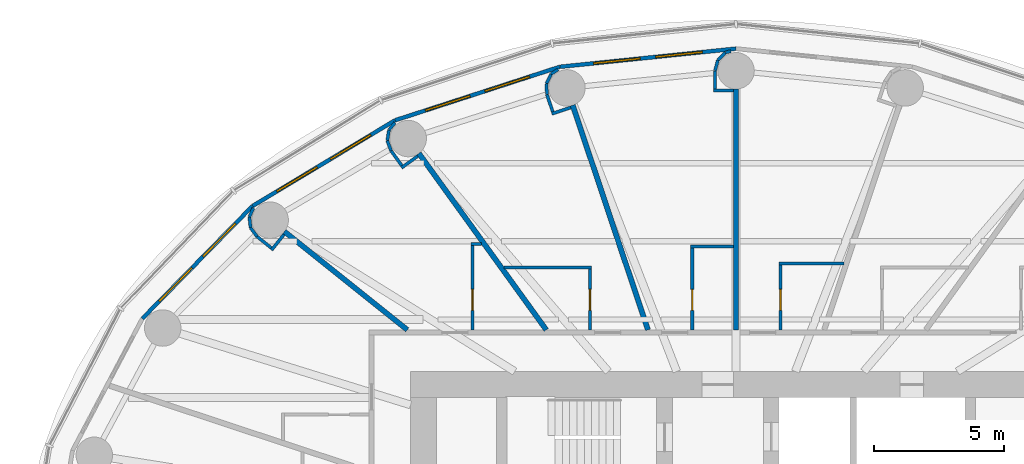
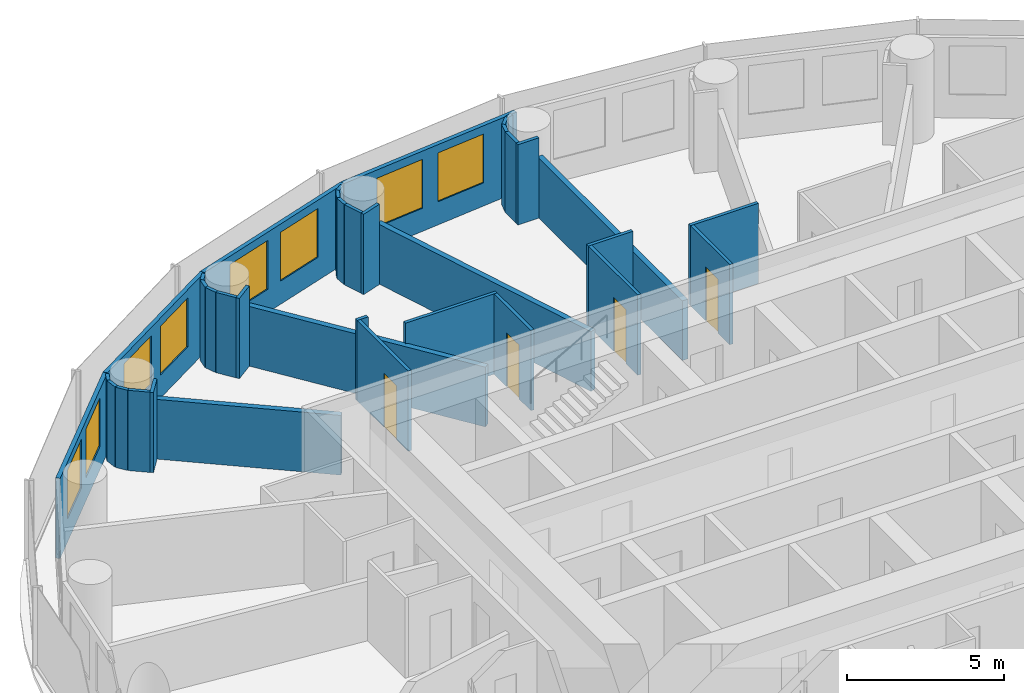
# One storey, part 11 of 13: 36 walls, 8 windows, 4 doors, 12 openings.
"""IFC4 building model written with IfcOpenShell, lengths in metres."""

from ifc_helpers import new_model, si_unit, direction, frame, frame_2d, origin, place, context, subcontext, project, spatial, rectangle, extrude, material, layer, layer_set, type_object, element, fill, save


model = new_model("IFC4")

# Units and contexts
model_context = context("Model", 3, precision=1e-05, world=origin(), true_north=direction((0.0, 1.0)))
body_context = subcontext(model_context, "Body", "Model", "MODEL_VIEW")
ifc_project = project(units=[si_unit("LENGTHUNIT", "METRE"), si_unit("AREAUNIT", "SQUARE_METRE"), si_unit("VOLUMEUNIT", "CUBIC_METRE"), si_unit("PLANEANGLEUNIT", "RADIAN"), si_unit("MASSUNIT", "GRAM", prefix="KILO")], contexts=[model_context])

# Site, building, storey
site_placement = place(None, origin())
site = spatial("IfcSite", under=ifc_project, at=site_placement, CompositionType="ELEMENT")
building_placement = place(site_placement, origin())
building = spatial("IfcBuilding", under=site, at=building_placement, Name="Hankou Lantern Tower", CompositionType="ELEMENT")
storey_placement = place(building_placement, frame((0.0, 0.0, 83.699951171875)))
storey = spatial("IfcBuildingStorey", under=building, at=storey_placement, Name="L21", CompositionType="ELEMENT", Elevation=83.699951171875)

# Wall, openings, windows
ifc_material_1 = material(Name="Aluminium spandrel panel on steel studs", Category="steel")
ifc_layer_1 = layer(ifc_material_1, 0.14990234375)
ifc_layer_set_1 = layer_set([ifc_layer_1], Name="Aluminium spandrel panel on steel studs")
wall_type_1 = type_object("IfcWallType", Name="EW1 INNER SKIN WALL 150", PredefinedType="ELEMENTEDWALL", material=ifc_layer_set_1)
wall_1_placement = place(storey_placement, frame((0.0, 20.89990234375, 0.0), z_axis=(0.0, 0.0, 1.0), x_axis=(-0.994721394369, -0.102612609291, 0.0)))
wall_1 = element("IfcWall", 1, at=wall_1_placement, inside=storey, type_object=wall_type_1, Name="Inner skin R07-R08 L21", PredefinedType="ELEMENTEDWALL", context=body_context, shape_type="SweptSolid", body=[
    extrude(rectangle(XDim=6.80224609375, YDim=0.14990234375, at=frame_2d((3.401123046875, 0.0))), origin(), (0.0, 0.0, 1.0), 3.1201171875),
])
opening_1_placement = place(wall_1_placement, frame((1.301025390625, 0.0, 0.89990234375)))
opening_1 = element("IfcOpeningElement", 2, at=opening_1_placement, cuts=wall_1, Name="Opening W1", PredefinedType="OPENING", context=body_context, shape_type="SweptSolid", body=[
    extrude(rectangle(XDim=1.800048828125, YDim=1.89990234375, at=frame_2d((0.89990234375, 0.949951171875))), frame((0.0, 0.0849609375, 0.0), z_axis=(0.0, -1.0, 0.0), x_axis=(1.0, 0.0, 0.0)), (0.0, 0.0, 1.0), 0.169921875),
])
opening_2_placement = place(wall_1_placement, frame((3.701171875, 0.0, 0.89990234375)))
opening_2 = element("IfcOpeningElement", 3, at=opening_2_placement, cuts=wall_1, Name="Opening W1", PredefinedType="OPENING", context=body_context, shape_type="SweptSolid", body=[
    extrude(rectangle(XDim=1.800048828125, YDim=1.89990234375, at=frame_2d((0.89990234375, 0.949951171875))), frame((0.0, 0.0849609375, 0.0), z_axis=(0.0, -1.0, 0.0), x_axis=(1.0, 0.0, 0.0)), (0.0, 0.0, 1.0), 0.169921875),
])
ifc_material_2 = material(Name="Aluminium framed double glazed window", Category="aluminium")
window_type = type_object("IfcWindowType", Name="W1 GUEST ROOM WINDOW 1800X1900", PartitioningType="DOUBLE_PANEL_VERTICAL", PredefinedType="WINDOW", material=ifc_material_2)
window_1_placement = place(opening_1_placement, origin())
window_1 = element("IfcWindow", 4, at=window_1_placement, inside=storey, type_object=window_type, Name="Window R07.1 L21", OverallHeight=1.89990234375, OverallWidth=1.800048828125, PartitioningType="SINGLE_PANEL", PredefinedType="WINDOW", context=body_context, shape_type="SweptSolid", body=[
    extrude(rectangle(XDim=1.800048828125, YDim=1.89990234375, at=frame_2d((0.89990234375, 0.949951171875))), frame((0.0, 0.030029296875, 0.0), z_axis=(0.0, -1.0, 0.0), x_axis=(1.0, 0.0, 0.0)), (0.0, 0.0, 1.0), 0.06005859375),
])
fill(opening_1, window_1)
window_2_placement = place(opening_2_placement, origin())
window_2 = element("IfcWindow", 5, at=window_2_placement, inside=storey, type_object=window_type, Name="Window R07.2 L21", OverallHeight=1.89990234375, OverallWidth=1.800048828125, PartitioningType="SINGLE_PANEL", PredefinedType="WINDOW", context=body_context, shape_type="SweptSolid", body=[
    extrude(rectangle(XDim=1.800048828125, YDim=1.89990234375, at=frame_2d((0.89990234375, 0.949951171875))), frame((0.0, 0.030029296875, 0.0), z_axis=(0.0, -1.0, 0.0), x_axis=(1.0, 0.0, 0.0)), (0.0, 0.0, 1.0), 0.06005859375),
])
fill(opening_2, window_2)

wall_2_placement = place(storey_placement, frame((-6.766357421875, 20.201904296875, 0.0), z_axis=(0.0, 0.0, 1.0), x_axis=(-0.951137534625, -0.308767534285, 0.0)))
wall_2 = element("IfcWall", 6, at=wall_2_placement, inside=storey, type_object=wall_type_1, Name="Inner skin R08-R09 L21", PredefinedType="ELEMENTEDWALL", context=body_context, shape_type="SweptSolid", body=[
    extrude(rectangle(XDim=6.6552734375, YDim=0.14990234375, at=frame_2d((3.32763671875, 0.0))), origin(), (0.0, 0.0, 1.0), 3.1201171875),
])
opening_3_placement = place(wall_2_placement, frame((1.2275390625, 0.0, 0.89990234375)))
opening_3 = element("IfcOpeningElement", 7, at=opening_3_placement, cuts=wall_2, Name="Opening W1", PredefinedType="OPENING", context=body_context, shape_type="SweptSolid", body=[
    extrude(rectangle(XDim=1.800048828125, YDim=1.89990234375, at=frame_2d((0.89990234375, 0.949951171875))), frame((0.0, 0.0849609375, 0.0), z_axis=(0.0, -1.0, 0.0), x_axis=(1.0, 0.0, 0.0)), (0.0, 0.0, 1.0), 0.169921875),
])
opening_4_placement = place(wall_2_placement, frame((3.627685546875, 0.0, 0.89990234375)))
opening_4 = element("IfcOpeningElement", 8, at=opening_4_placement, cuts=wall_2, Name="Opening W1", PredefinedType="OPENING", context=body_context, shape_type="SweptSolid", body=[
    extrude(rectangle(XDim=1.800048828125, YDim=1.89990234375, at=frame_2d((0.89990234375, 0.949951171875))), frame((0.0, 0.0849609375, 0.0), z_axis=(0.0, -1.0, 0.0), x_axis=(1.0, 0.0, 0.0)), (0.0, 0.0, 1.0), 0.169921875),
])
window_3_placement = place(opening_3_placement, origin())
window_3 = element("IfcWindow", 9, at=window_3_placement, inside=storey, type_object=window_type, Name="Window R08.1 L21", OverallHeight=1.89990234375, OverallWidth=1.800048828125, PartitioningType="SINGLE_PANEL", PredefinedType="WINDOW", context=body_context, shape_type="SweptSolid", body=[
    extrude(rectangle(XDim=1.800048828125, YDim=1.89990234375, at=frame_2d((0.89990234375, 0.949951171875))), frame((0.0, 0.030029296875, 0.0), z_axis=(0.0, -1.0, 0.0), x_axis=(1.0, 0.0, 0.0)), (0.0, 0.0, 1.0), 0.06005859375),
])
fill(opening_3, window_3)
window_4_placement = place(opening_4_placement, origin())
window_4 = element("IfcWindow", 10, at=window_4_placement, inside=storey, type_object=window_type, Name="Window R08.2 L21", OverallHeight=1.89990234375, OverallWidth=1.800048828125, PartitioningType="SINGLE_PANEL", PredefinedType="WINDOW", context=body_context, shape_type="SweptSolid", body=[
    extrude(rectangle(XDim=1.800048828125, YDim=1.89990234375, at=frame_2d((0.89990234375, 0.949951171875))), frame((0.0, 0.030029296875, 0.0), z_axis=(0.0, -1.0, 0.0), x_axis=(1.0, 0.0, 0.0)), (0.0, 0.0, 1.0), 0.06005859375),
])
fill(opening_4, window_4)

wall_3_placement = place(storey_placement, frame((-13.096435546875, 18.14697265625, 0.0), z_axis=(0.0, 0.0, 1.0), x_axis=(-0.856983180864, -0.515344377787, 0.0)))
wall_3 = element("IfcWall", 11, at=wall_3_placement, inside=storey, type_object=wall_type_1, Name="Inner skin R09-R10 L21", PredefinedType="ELEMENTEDWALL", context=body_context, shape_type="SweptSolid", body=[
    extrude(rectangle(XDim=6.386474609375, YDim=0.14990234375, at=frame_2d((3.193359375, 0.0))), origin(), (0.0, 0.0, 1.0), 3.1201171875),
])
opening_5_placement = place(wall_3_placement, frame((1.09326171875, 0.0, 0.89990234375)))
opening_5 = element("IfcOpeningElement", 12, at=opening_5_placement, cuts=wall_3, Name="Opening W1", PredefinedType="OPENING", context=body_context, shape_type="SweptSolid", body=[
    extrude(rectangle(XDim=1.800048828125, YDim=1.89990234375, at=frame_2d((0.89990234375, 0.949951171875))), frame((0.0, 0.0849609375, 0.0), z_axis=(0.0, -1.0, 0.0), x_axis=(1.0, 0.0, 0.0)), (0.0, 0.0, 1.0), 0.169921875),
])
opening_6_placement = place(wall_3_placement, frame((3.4931640625, 0.0, 0.89990234375)))
opening_6 = element("IfcOpeningElement", 13, at=opening_6_placement, cuts=wall_3, Name="Opening W1", PredefinedType="OPENING", context=body_context, shape_type="SweptSolid", body=[
    extrude(rectangle(XDim=1.800048828125, YDim=1.89990234375, at=frame_2d((0.89990234375, 0.949951171875))), frame((0.0, 0.0849609375, 0.0), z_axis=(0.0, -1.0, 0.0), x_axis=(1.0, 0.0, 0.0)), (0.0, 0.0, 1.0), 0.169921875),
])
window_5_placement = place(opening_5_placement, origin())
window_5 = element("IfcWindow", 14, at=window_5_placement, inside=storey, type_object=window_type, Name="Window R09.1 L21", OverallHeight=1.89990234375, OverallWidth=1.800048828125, PartitioningType="SINGLE_PANEL", PredefinedType="WINDOW", context=body_context, shape_type="SweptSolid", body=[
    extrude(rectangle(XDim=1.800048828125, YDim=1.89990234375, at=frame_2d((0.89990234375, 0.949951171875))), frame((0.0, 0.030029296875, 0.0), z_axis=(0.0, -1.0, 0.0), x_axis=(1.0, 0.0, 0.0)), (0.0, 0.0, 1.0), 0.06005859375),
])
fill(opening_5, window_5)
window_6_placement = place(opening_6_placement, origin())
window_6 = element("IfcWindow", 15, at=window_6_placement, inside=storey, type_object=window_type, Name="Window R09.2 L21", OverallHeight=1.89990234375, OverallWidth=1.800048828125, PartitioningType="SINGLE_PANEL", PredefinedType="WINDOW", context=body_context, shape_type="SweptSolid", body=[
    extrude(rectangle(XDim=1.800048828125, YDim=1.89990234375, at=frame_2d((0.89990234375, 0.949951171875))), frame((0.0, 0.030029296875, 0.0), z_axis=(0.0, -1.0, 0.0), x_axis=(1.0, 0.0, 0.0)), (0.0, 0.0, 1.0), 0.06005859375),
])
fill(opening_6, window_6)

wall_4_placement = place(storey_placement, frame((-18.569580078125, 14.855712890625, 0.0), z_axis=(0.0, 0.0, 1.0), x_axis=(-0.699602905915, -0.714531856557, 0.0)))
wall_4 = element("IfcWall", 16, at=wall_4_placement, inside=storey, type_object=wall_type_1, Name="Inner skin R10-R11 L21", PredefinedType="ELEMENTEDWALL", context=body_context, shape_type="SweptSolid", body=[
    extrude(rectangle(XDim=6.05078125, YDim=0.14990234375, at=frame_2d((3.025390625, 0.0))), origin(), (0.0, 0.0, 1.0), 3.1201171875),
])
opening_7_placement = place(wall_4_placement, frame((0.925537109375, 0.0, 0.89990234375)))
opening_7 = element("IfcOpeningElement", 17, at=opening_7_placement, cuts=wall_4, Name="Opening W1", PredefinedType="OPENING", context=body_context, shape_type="SweptSolid", body=[
    extrude(rectangle(XDim=1.800048828125, YDim=1.89990234375, at=frame_2d((0.89990234375, 0.949951171875))), frame((0.0, 0.0849609375, 0.0), z_axis=(0.0, -1.0, 0.0), x_axis=(1.0, 0.0, 0.0)), (0.0, 0.0, 1.0), 0.169921875),
])
opening_8_placement = place(wall_4_placement, frame((3.325439453125, 0.0, 0.89990234375)))
opening_8 = element("IfcOpeningElement", 18, at=opening_8_placement, cuts=wall_4, Name="Opening W1", PredefinedType="OPENING", context=body_context, shape_type="SweptSolid", body=[
    extrude(rectangle(XDim=1.800048828125, YDim=1.89990234375, at=frame_2d((0.89990234375, 0.949951171875))), frame((0.0, 0.0849609375, 0.0), z_axis=(0.0, -1.0, 0.0), x_axis=(1.0, 0.0, 0.0)), (0.0, 0.0, 1.0), 0.169921875),
])
window_7_placement = place(opening_7_placement, origin())
window_7 = element("IfcWindow", 19, at=window_7_placement, inside=storey, type_object=window_type, Name="Window R10.1 L21", OverallHeight=1.89990234375, OverallWidth=1.800048828125, PartitioningType="SINGLE_PANEL", PredefinedType="WINDOW", context=body_context, shape_type="SweptSolid", body=[
    extrude(rectangle(XDim=1.800048828125, YDim=1.89990234375, at=frame_2d((0.89990234375, 0.949951171875))), frame((0.0, 0.030029296875, 0.0), z_axis=(0.0, -1.0, 0.0), x_axis=(1.0, 0.0, 0.0)), (0.0, 0.0, 1.0), 0.06005859375),
])
fill(opening_7, window_7)
window_8_placement = place(opening_8_placement, origin())
window_8 = element("IfcWindow", 20, at=window_8_placement, inside=storey, type_object=window_type, Name="Window R10.2 L21", OverallHeight=1.89990234375, OverallWidth=1.800048828125, PartitioningType="SINGLE_PANEL", PredefinedType="WINDOW", context=body_context, shape_type="SweptSolid", body=[
    extrude(rectangle(XDim=1.800048828125, YDim=1.89990234375, at=frame_2d((0.89990234375, 0.949951171875))), frame((0.0, 0.030029296875, 0.0), z_axis=(0.0, -1.0, 0.0), x_axis=(1.0, 0.0, 0.0)), (0.0, 0.0, 1.0), 0.06005859375),
])
fill(opening_8, window_8)

# Walls
ifc_material_3 = material(Name="Masonry lightweight concrete block", Category="masonry")
ifc_layer_2 = layer(ifc_material_3, 0.199951171875)
ifc_layer_set_2 = layer_set([ifc_layer_2], Name="Masonry lightweight concrete block")
wall_type_2 = type_object("IfcWallType", Name="IW1 GUEST ROOM PARTY WALL 200", PredefinedType="PARTITIONING", material=ifc_layer_set_2)
wall_5_placement = place(storey_placement, frame((0.0, 10.10009765625, 0.0), z_axis=(0.0, 0.0, 1.0), x_axis=(0.0, 1.0, 0.0)))
element("IfcWall", 21, at=wall_5_placement, inside=storey, type_object=wall_type_2, Name="Party wall R07", PredefinedType="PARTITIONING", context=body_context, shape_type="SweptSolid", body=[
    extrude(rectangle(XDim=9.25, YDim=0.199951171875, at=frame_2d((4.625, 0.0))), origin(), (0.0, 0.0, 1.0), 2.320068359375),
])
wall_6_placement = place(storey_placement, frame((-3.3828125, 10.10009765625, 0.0), z_axis=(0.0, 0.0, 1.0), x_axis=(-0.31759592231, 0.948226149256, 0.0)))
element("IfcWall", 22, at=wall_6_placement, inside=storey, type_object=wall_type_2, Name="Party wall R08", PredefinedType="PARTITIONING", context=body_context, shape_type="SweptSolid", body=[
    extrude(rectangle(XDim=9.098388671875, YDim=0.199951171875, at=frame_2d((4.54931640625, 0.0))), origin(), (0.0, 0.0, 1.0), 2.320068359375),
])
wall_7_placement = place(storey_placement, frame((-7.2890625, 10.10009765625, 0.0), z_axis=(0.0, 0.0, 1.0), x_axis=(-0.585198353053, 0.810890182197, 0.0)))
element("IfcWall", 23, at=wall_7_placement, inside=storey, type_object=wall_type_2, Name="Party wall R09", PredefinedType="PARTITIONING", context=body_context, shape_type="SweptSolid", body=[
    extrude(rectangle(XDim=8.359619140625, YDim=0.199951171875, at=frame_2d((4.1796875, 0.0))), origin(), (0.0, 0.0, 1.0), 2.320068359375),
])
wall_8_placement = place(storey_placement, frame((-12.625, 10.10009765625, 0.0), z_axis=(0.0, 0.0, 1.0), x_axis=(-0.780892451574, 0.624665493744, 0.0)))
element("IfcWall", 24, at=wall_8_placement, inside=storey, type_object=wall_type_2, Name="Party wall R10", PredefinedType="PARTITIONING", context=body_context, shape_type="SweptSolid", body=[
    extrude(rectangle(XDim=6.044677734375, YDim=0.199951171875, at=frame_2d((3.0224609375, 0.0))), origin(), (0.0, 0.0, 1.0), 2.320068359375),
])
ifc_material_4 = material(Name="Masonry lightweight concrete block", Category="masonry")
ifc_layer_3 = layer(ifc_material_4, 0.1201171875)
ifc_layer_set_3 = layer_set([ifc_layer_3], Name="Masonry lightweight concrete block")
wall_type_3 = type_object("IfcWallType", Name="IW3 BATHROOM WALL 120", PredefinedType="PARTITIONING", material=ifc_layer_set_3)
wall_9_placement = place(storey_placement, frame((4.136962890625, 12.64990234375, 0.0), z_axis=(0.0, 0.0, 1.0), x_axis=(-1.0, 0.0, 0.0)))
element("IfcWall", 25, at=wall_9_placement, inside=storey, type_object=wall_type_3, Name="Box wall 2113 1", PredefinedType="PARTITIONING", context=body_context, shape_type="SweptSolid", body=[
    extrude(rectangle(XDim=2.494140625, YDim=0.1201171875, at=frame_2d((1.2470703125, 0.0))), origin(), (0.0, 0.0, 1.0), 3.1201171875),
])

# Wall, opening, door
wall_10_placement = place(storey_placement, frame((1.702880859375, 10.10009765625, 0.0), z_axis=(0.0, 0.0, 1.0), x_axis=(0.0, 1.0, 0.0)))
wall_10 = element("IfcWall", 26, at=wall_10_placement, inside=storey, type_object=wall_type_3, Name="Box wall 2113 1", PredefinedType="PARTITIONING", context=body_context, shape_type="SweptSolid", body=[
    extrude(rectangle(XDim=2.489990234375, YDim=0.1201171875, at=frame_2d((1.2451171875, 0.0))), origin(), (0.0, 0.0, 1.0), 3.1201171875),
])
opening_9_placement = place(wall_10_placement, frame((0.75, 0.0, 0.0)))
opening_9 = element("IfcOpeningElement", 27, at=opening_9_placement, cuts=wall_10, Name="Opening D3", PredefinedType="OPENING", context=body_context, shape_type="SweptSolid", body=[
    extrude(rectangle(XDim=0.800048828125, YDim=2.10009765625, at=frame_2d((0.39990234375, 1.050048828125))), frame((0.0, 0.070068359375, 0.0), z_axis=(0.0, -1.0, 0.0), x_axis=(1.0, 0.0, 0.0)), (0.0, 0.0, 1.0), 0.14013671875),
])
ifc_material_5 = material(Name="Timber door leaf", Category="wood")
door_type = type_object("IfcDoorType", Name="D3 BATHROOM DOOR 800X2100", OperationType="SINGLE_SWING_LEFT", PredefinedType="DOOR", material=ifc_material_5)
door_1_placement = place(opening_9_placement, origin())
door_1 = element("IfcDoor", 28, at=door_1_placement, inside=storey, type_object=door_type, Name="En-suite bathroom 2113 door", OperationType="SINGLE_SWING_LEFT", OverallHeight=2.10009765625, OverallWidth=0.800048828125, PredefinedType="DOOR", context=body_context, shape_type="SweptSolid", body=[
    extrude(rectangle(XDim=0.800048828125, YDim=2.10009765625, at=frame_2d((0.39990234375, 1.050048828125))), frame((0.0, 0.02490234375, 0.0), z_axis=(0.0, -1.0, 0.0), x_axis=(1.0, 0.0, 0.0)), (0.0, 0.0, 1.0), 0.050048828125),
])
fill(opening_9, door_1)

# Wall
wall_11_placement = place(storey_placement, frame((-0.10009765625, 13.300048828125, 0.0), z_axis=(0.0, 0.0, 1.0), x_axis=(-1.0, 0.0, 0.0)))
element("IfcWall", 29, at=wall_11_placement, inside=storey, type_object=wall_type_3, Name="Box wall 2114 1", PredefinedType="PARTITIONING", context=body_context, shape_type="SweptSolid", body=[
    extrude(rectangle(XDim=1.639892578125, YDim=0.1201171875, at=frame_2d((0.81982421875, 0.0))), origin(), (0.0, 0.0, 1.0), 3.1201171875),
])

# Wall, opening, door
wall_12_placement = place(storey_placement, frame((-1.679931640625, 10.10009765625, 0.0), z_axis=(0.0, 0.0, 1.0), x_axis=(0.0, 1.0, 0.0)))
wall_12 = element("IfcWall", 30, at=wall_12_placement, inside=storey, type_object=wall_type_3, Name="Box wall 2114 1", PredefinedType="PARTITIONING", context=body_context, shape_type="SweptSolid", body=[
    extrude(rectangle(XDim=3.139892578125, YDim=0.1201171875, at=frame_2d((1.56982421875, 0.0))), origin(), (0.0, 0.0, 1.0), 3.1201171875),
])
opening_10_placement = place(wall_12_placement, frame((0.75, 0.0, 0.0)))
opening_10 = element("IfcOpeningElement", 31, at=opening_10_placement, cuts=wall_12, Name="Opening D3", PredefinedType="OPENING", context=body_context, shape_type="SweptSolid", body=[
    extrude(rectangle(XDim=0.800048828125, YDim=2.10009765625, at=frame_2d((0.39990234375, 1.050048828125))), frame((0.0, 0.070068359375, 0.0), z_axis=(0.0, -1.0, 0.0), x_axis=(1.0, 0.0, 0.0)), (0.0, 0.0, 1.0), 0.14013671875),
])
door_2_placement = place(opening_10_placement, origin())
door_2 = element("IfcDoor", 32, at=door_2_placement, inside=storey, type_object=door_type, Name="En-suite bathroom 2114 door", OperationType="SINGLE_SWING_LEFT", OverallHeight=2.10009765625, OverallWidth=0.800048828125, PredefinedType="DOOR", context=body_context, shape_type="SweptSolid", body=[
    extrude(rectangle(XDim=0.800048828125, YDim=2.10009765625, at=frame_2d((0.39990234375, 1.050048828125))), frame((0.0, 0.02490234375, 0.0), z_axis=(0.0, -1.0, 0.0), x_axis=(1.0, 0.0, 0.0)), (0.0, 0.0, 1.0), 0.050048828125),
])
fill(opening_10, door_2)

# Wall
wall_13_placement = place(storey_placement, frame((-8.921142578125, 12.5, 0.0), z_axis=(0.0, 0.0, 1.0), x_axis=(1.0, 0.0, 0.0)))
element("IfcWall", 33, at=wall_13_placement, inside=storey, type_object=wall_type_3, Name="Box wall 2115 1", PredefinedType="PARTITIONING", context=body_context, shape_type="SweptSolid", body=[
    extrude(rectangle(XDim=3.3720703125, YDim=0.1201171875, at=frame_2d((1.68603515625, 0.0))), origin(), (0.0, 0.0, 1.0), 3.1201171875),
])

# Wall, opening, door
wall_14_placement = place(storey_placement, frame((-5.609130859375, 10.10009765625, 0.0), z_axis=(0.0, 0.0, 1.0), x_axis=(0.0, 1.0, 0.0)))
wall_14 = element("IfcWall", 34, at=wall_14_placement, inside=storey, type_object=wall_type_3, Name="Box wall 2115 1", PredefinedType="PARTITIONING", context=body_context, shape_type="SweptSolid", body=[
    extrude(rectangle(XDim=2.33984375, YDim=0.1201171875, at=frame_2d((1.169921875, 0.0))), origin(), (0.0, 0.0, 1.0), 3.1201171875),
])
opening_11_placement = place(wall_14_placement, frame((0.75, 0.0, 0.0)))
opening_11 = element("IfcOpeningElement", 35, at=opening_11_placement, cuts=wall_14, Name="Opening D3", PredefinedType="OPENING", context=body_context, shape_type="SweptSolid", body=[
    extrude(rectangle(XDim=0.800048828125, YDim=2.10009765625, at=frame_2d((0.39990234375, 1.050048828125))), frame((0.0, 0.070068359375, 0.0), z_axis=(0.0, -1.0, 0.0), x_axis=(1.0, 0.0, 0.0)), (0.0, 0.0, 1.0), 0.14013671875),
])
door_3_placement = place(opening_11_placement, origin())
door_3 = element("IfcDoor", 36, at=door_3_placement, inside=storey, type_object=door_type, Name="En-suite bathroom 2115 door", OperationType="SINGLE_SWING_LEFT", OverallHeight=2.10009765625, OverallWidth=0.800048828125, PredefinedType="DOOR", context=body_context, shape_type="SweptSolid", body=[
    extrude(rectangle(XDim=0.800048828125, YDim=2.10009765625, at=frame_2d((0.39990234375, 1.050048828125))), frame((0.0, 0.02490234375, 0.0), z_axis=(0.0, -1.0, 0.0), x_axis=(1.0, 0.0, 0.0)), (0.0, 0.0, 1.0), 0.050048828125),
])
fill(opening_11, door_3)

# Wall
wall_15_placement = place(storey_placement, frame((-9.7705078125, 13.39990234375, 0.0), z_axis=(0.0, 0.0, 1.0), x_axis=(-1.0, 0.0, 0.0)))
element("IfcWall", 37, at=wall_15_placement, inside=storey, type_object=wall_type_3, Name="Box wall 2116 1", PredefinedType="PARTITIONING", context=body_context, shape_type="SweptSolid", body=[
    extrude(rectangle(XDim=0.408447265625, YDim=0.1201171875, at=frame_2d((0.2041015625, 0.0))), origin(), (0.0, 0.0, 1.0), 3.1201171875),
])

# Wall, opening, door
wall_16_placement = place(storey_placement, frame((-10.119140625, 10.10009765625, 0.0), z_axis=(0.0, 0.0, 1.0), x_axis=(0.0, 1.0, 0.0)))
wall_16 = element("IfcWall", 38, at=wall_16_placement, inside=storey, type_object=wall_type_3, Name="Box wall 2116 1", PredefinedType="PARTITIONING", context=body_context, shape_type="SweptSolid", body=[
    extrude(rectangle(XDim=3.239990234375, YDim=0.1201171875, at=frame_2d((1.6201171875, 0.0))), origin(), (0.0, 0.0, 1.0), 3.1201171875),
])
opening_12_placement = place(wall_16_placement, frame((0.75, 0.0, 0.0)))
opening_12 = element("IfcOpeningElement", 39, at=opening_12_placement, cuts=wall_16, Name="Opening D3", PredefinedType="OPENING", context=body_context, shape_type="SweptSolid", body=[
    extrude(rectangle(XDim=0.800048828125, YDim=2.10009765625, at=frame_2d((0.39990234375, 1.050048828125))), frame((0.0, 0.070068359375, 0.0), z_axis=(0.0, -1.0, 0.0), x_axis=(1.0, 0.0, 0.0)), (0.0, 0.0, 1.0), 0.14013671875),
])
door_4_placement = place(opening_12_placement, origin())
door_4 = element("IfcDoor", 40, at=door_4_placement, inside=storey, type_object=door_type, Name="En-suite bathroom 2116 door", OperationType="SINGLE_SWING_LEFT", OverallHeight=2.10009765625, OverallWidth=0.800048828125, PredefinedType="DOOR", context=body_context, shape_type="SweptSolid", body=[
    extrude(rectangle(XDim=0.800048828125, YDim=2.10009765625, at=frame_2d((0.39990234375, 1.050048828125))), frame((0.0, 0.02490234375, 0.0), z_axis=(0.0, -1.0, 0.0), x_axis=(1.0, 0.0, 0.0)), (0.0, 0.0, 1.0), 0.050048828125),
])
fill(opening_12, door_4)

# Walls
ifc_material_6 = material(Name="Masonry lightweight concrete block", Category="masonry")
ifc_layer_4 = layer(ifc_material_6, 0.1201171875)
ifc_layer_set_4 = layer_set([ifc_layer_4], Name="Masonry lightweight concrete block")
wall_type_4 = type_object("IfcWallType", Name="IW4 PARTITION 120", PredefinedType="PARTITIONING", material=ifc_layer_set_4)
wall_17_placement = place(storey_placement, frame((-0.10009765625, 19.2900390625, 0.0), z_axis=(0.0, 0.0, 1.0), x_axis=(-1.0, 0.0, 0.0)))
element("IfcWall", 41, at=wall_17_placement, inside=storey, type_object=wall_type_4, Name="Column casing R07 return", PredefinedType="PARTITIONING", context=body_context, shape_type="SweptSolid", body=[
    extrude(rectangle(XDim=0.767333984375, YDim=0.1201171875, at=frame_2d((0.3837890625, 0.0))), origin(), (0.0, 0.0, 1.0), 3.1201171875),
])
wall_18_placement = place(storey_placement, frame((-0.8076171875, 19.35009765625, 0.0), z_axis=(0.0, 0.0, 1.0), x_axis=(0.0, 1.0, 0.0)))
element("IfcWall", 42, at=wall_18_placement, inside=storey, type_object=wall_type_4, Name="Column casing R07", PredefinedType="PARTITIONING", context=body_context, shape_type="SweptSolid", body=[
    extrude(rectangle(XDim=0.699951171875, YDim=0.1201171875, at=frame_2d((0.35009765625, 0.0))), origin(), (0.0, 0.0, 1.0), 3.1201171875),
])
wall_19_placement = place(storey_placement, frame((-0.8076171875, 20.050048828125, 0.0), z_axis=(0.0, 0.0, 1.0), x_axis=(0.2592614205, 0.965807183573, 0.0)))
element("IfcWall", 43, at=wall_19_placement, inside=storey, type_object=wall_type_4, Name="Column casing R07", PredefinedType="PARTITIONING", context=body_context, shape_type="SweptSolid", body=[
    extrude(rectangle(XDim=0.418212890625, YDim=0.1201171875, at=frame_2d((0.208984375, 0.0))), origin(), (0.0, 0.0, 1.0), 3.1201171875),
])
wall_20_placement = place(storey_placement, frame((-0.69921875, 20.453857421875, 0.0), z_axis=(0.0, 0.0, 1.0), x_axis=(0.707106781187, 0.707106781187, 0.0)))
element("IfcWall", 44, at=wall_20_placement, inside=storey, type_object=wall_type_4, Name="Column casing R07", PredefinedType="PARTITIONING", context=body_context, shape_type="SweptSolid", body=[
    extrude(rectangle(XDim=0.417724609375, YDim=0.1201171875, at=frame_2d((0.208984375, 0.0))), origin(), (0.0, 0.0, 1.0), 3.1201171875),
])
wall_21_placement = place(storey_placement, frame((-0.40380859375, 20.749267578125, 0.0), z_axis=(0.0, 0.0, 1.0), x_axis=(0.965759066438, 0.25944060128, 0.0)))
element("IfcWall", 45, at=wall_21_placement, inside=storey, type_object=wall_type_4, Name="Column casing R07", PredefinedType="PARTITIONING", context=body_context, shape_type="SweptSolid", body=[
    extrude(rectangle(XDim=0.213623046875, YDim=0.1201171875, at=frame_2d((0.10693359375, 0.0))), origin(), (0.0, 0.0, 1.0), 3.1201171875),
])
wall_22_placement = place(storey_placement, frame((-6.348388671875, 18.638916015625, 0.0), z_axis=(0.0, 0.0, 1.0), x_axis=(-0.948268951266, -0.317468102437, 0.0)))
element("IfcWall", 46, at=wall_22_placement, inside=storey, type_object=wall_type_4, Name="Column casing R08 return", PredefinedType="PARTITIONING", context=body_context, shape_type="SweptSolid", body=[
    extrude(rectangle(XDim=0.767578125, YDim=0.1201171875, at=frame_2d((0.3837890625, 0.0))), origin(), (0.0, 0.0, 1.0), 3.1201171875),
])
wall_23_placement = place(storey_placement, frame((-7.038330078125, 18.47119140625, 0.0), z_axis=(0.0, 0.0, 1.0), x_axis=(-0.317378466199, 0.9482989556, 0.0)))
element("IfcWall", 47, at=wall_23_placement, inside=storey, type_object=wall_type_4, Name="Column casing R08", PredefinedType="PARTITIONING", context=body_context, shape_type="SweptSolid", body=[
    extrude(rectangle(XDim=0.699951171875, YDim=0.1201171875, at=frame_2d((0.35009765625, 0.0))), origin(), (0.0, 0.0, 1.0), 3.1201171875),
])
wall_24_placement = place(storey_placement, frame((-7.260498046875, 19.135009765625, 0.0), z_axis=(0.0, 0.0, 1.0), x_axis=(-0.0613238046, 0.99811792439, 0.0)))
element("IfcWall", 48, at=wall_24_placement, inside=storey, type_object=wall_type_4, Name="Column casing R08", PredefinedType="PARTITIONING", context=body_context, shape_type="SweptSolid", body=[
    extrude(rectangle(XDim=0.41796875, YDim=0.1201171875, at=frame_2d((0.208984375, 0.0))), origin(), (0.0, 0.0, 1.0), 3.1201171875),
])
wall_25_placement = place(storey_placement, frame((-7.2861328125, 19.55224609375, 0.0), z_axis=(0.0, 0.0, 1.0), x_axis=(0.445810757773, 0.89512723579, 0.0)))
element("IfcWall", 49, at=wall_25_placement, inside=storey, type_object=wall_type_4, Name="Column casing R08", PredefinedType="PARTITIONING", context=body_context, shape_type="SweptSolid", body=[
    extrude(rectangle(XDim=0.417724609375, YDim=0.1201171875, at=frame_2d((0.208984375, 0.0))), origin(), (0.0, 0.0, 1.0), 3.1201171875),
])
wall_26_placement = place(storey_placement, frame((-7.099853515625, 19.92626953125, 0.0), z_axis=(0.0, 0.0, 1.0), x_axis=(0.833488262509, 0.552537162787, 0.0)))
element("IfcWall", 50, at=wall_26_placement, inside=storey, type_object=wall_type_4, Name="Column casing R08", PredefinedType="PARTITIONING", context=body_context, shape_type="SweptSolid", body=[
    extrude(rectangle(XDim=0.312744140625, YDim=0.1201171875, at=frame_2d((0.15625, 0.0))), origin(), (0.0, 0.0, 1.0), 3.1201171875),
])
wall_27_placement = place(storey_placement, frame((-12.227294921875, 16.771728515625, 0.0), z_axis=(0.0, 0.0, 1.0), x_axis=(-0.810821798253, -0.585293098778, 0.0)))
element("IfcWall", 51, at=wall_27_placement, inside=storey, type_object=wall_type_4, Name="Column casing R09 return", PredefinedType="PARTITIONING", context=body_context, shape_type="SweptSolid", body=[
    extrude(rectangle(XDim=0.767578125, YDim=0.1201171875, at=frame_2d((0.3837890625, 0.0))), origin(), (0.0, 0.0, 1.0), 3.1201171875),
])
wall_28_placement = place(storey_placement, frame((-12.8359375, 16.40625, 0.0), z_axis=(0.0, 0.0, 1.0), x_axis=(-0.585223113993, 0.810872312296, 0.0)))
element("IfcWall", 52, at=wall_28_placement, inside=storey, type_object=wall_type_4, Name="Column casing R09", PredefinedType="PARTITIONING", context=body_context, shape_type="SweptSolid", body=[
    extrude(rectangle(XDim=0.699951171875, YDim=0.1201171875, at=frame_2d((0.35009765625, 0.0))), origin(), (0.0, 0.0, 1.0), 3.1201171875),
])
wall_29_placement = place(storey_placement, frame((-13.24560546875, 16.973876953125, 0.0), z_axis=(0.0, 0.0, 1.0), x_axis=(-0.355728122235, 0.934589483705, 0.0)))
element("IfcWall", 53, at=wall_29_placement, inside=storey, type_object=wall_type_4, Name="Column casing R09", PredefinedType="PARTITIONING", context=body_context, shape_type="SweptSolid", body=[
    extrude(rectangle(XDim=0.41796875, YDim=0.1201171875, at=frame_2d((0.208984375, 0.0))), origin(), (0.0, 0.0, 1.0), 3.1201171875),
])
wall_30_placement = place(storey_placement, frame((-13.394287109375, 17.364501953125, 0.0), z_axis=(0.0, 0.0, 1.0), x_axis=(0.159379276926, 0.987217425943, 0.0)))
element("IfcWall", 54, at=wall_30_placement, inside=storey, type_object=wall_type_4, Name="Column casing R09", PredefinedType="PARTITIONING", context=body_context, shape_type="SweptSolid", body=[
    extrude(rectangle(XDim=0.418212890625, YDim=0.1201171875, at=frame_2d((0.208984375, 0.0))), origin(), (0.0, 0.0, 1.0), 3.1201171875),
])
wall_31_placement = place(storey_placement, frame((-13.32763671875, 17.77734375, 0.0), z_axis=(0.0, 0.0, 1.0), x_axis=(0.632276783541, 0.774742582407, 0.0)))
element("IfcWall", 55, at=wall_31_placement, inside=storey, type_object=wall_type_4, Name="Column casing R09", PredefinedType="PARTITIONING", context=body_context, shape_type="SweptSolid", body=[
    extrude(rectangle(XDim=0.35986328125, YDim=0.1201171875, at=frame_2d((0.179931640625, 0.0))), origin(), (0.0, 0.0, 1.0), 3.1201171875),
])
wall_32_placement = place(storey_placement, frame((-17.36083984375, 13.760498046875, 0.0), z_axis=(0.0, 0.0, 1.0), x_axis=(-0.624501042889, -0.781023973659, 0.0)))
element("IfcWall", 56, at=wall_32_placement, inside=storey, type_object=wall_type_4, Name="Column casing R10 return", PredefinedType="PARTITIONING", context=body_context, shape_type="SweptSolid", body=[
    extrude(rectangle(XDim=0.767333984375, YDim=0.1201171875, at=frame_2d((0.3837890625, 0.0))), origin(), (0.0, 0.0, 1.0), 3.1201171875),
])
wall_33_placement = place(storey_placement, frame((-17.849609375, 13.24560546875, 0.0), z_axis=(0.0, 0.0, 1.0), x_axis=(-0.780902834923, 0.62465251333, 0.0)))
element("IfcWall", 57, at=wall_33_placement, inside=storey, type_object=wall_type_4, Name="Column casing R10", PredefinedType="PARTITIONING", context=body_context, shape_type="SweptSolid", body=[
    extrude(rectangle(XDim=0.699951171875, YDim=0.1201171875, at=frame_2d((0.35009765625, 0.0))), origin(), (0.0, 0.0, 1.0), 3.1201171875),
])
for number, where, z_axis, x_axis, name in (
    (58, (-18.396240234375, 13.682861328125, 0.0), (0.0, 0.0, 1.0), (-0.592401603461, 0.805642811807, 0.0), "Column casing R10"),
    (59, (-18.643798828125, 14.01953125, 0.0), (0.0, 0.0, 1.0), (-0.110367433259, 0.993890854006, 0.0), "Column casing R10"),
):
    element("IfcWall", number, at=place(storey_placement, frame(where, z_axis=z_axis, x_axis=x_axis)), inside=storey, type_object=wall_type_4, Name=name, PredefinedType="PARTITIONING", context=body_context, shape_type="SweptSolid", body=[
        extrude(rectangle(XDim=0.41796875, YDim=0.1201171875, at=frame_2d((0.208984375, 0.0))), origin(), (0.0, 0.0, 1.0), 3.1201171875),
    ])
wall_34_placement = place(storey_placement, frame((-18.68994140625, 14.43505859375, 0.0), z_axis=(0.0, 0.0, 1.0), x_axis=(0.401093412634, 0.91603715773, 0.0)))
element("IfcWall", 60, at=wall_34_placement, inside=storey, type_object=wall_type_4, Name="Column casing R10", PredefinedType="PARTITIONING", context=body_context, shape_type="SweptSolid", body=[
    extrude(rectangle(XDim=0.373046875, YDim=0.1201171875, at=frame_2d((0.1865234375, 0.0))), origin(), (0.0, 0.0, 1.0), 3.1201171875),
])

save(model, "model.ifc")
